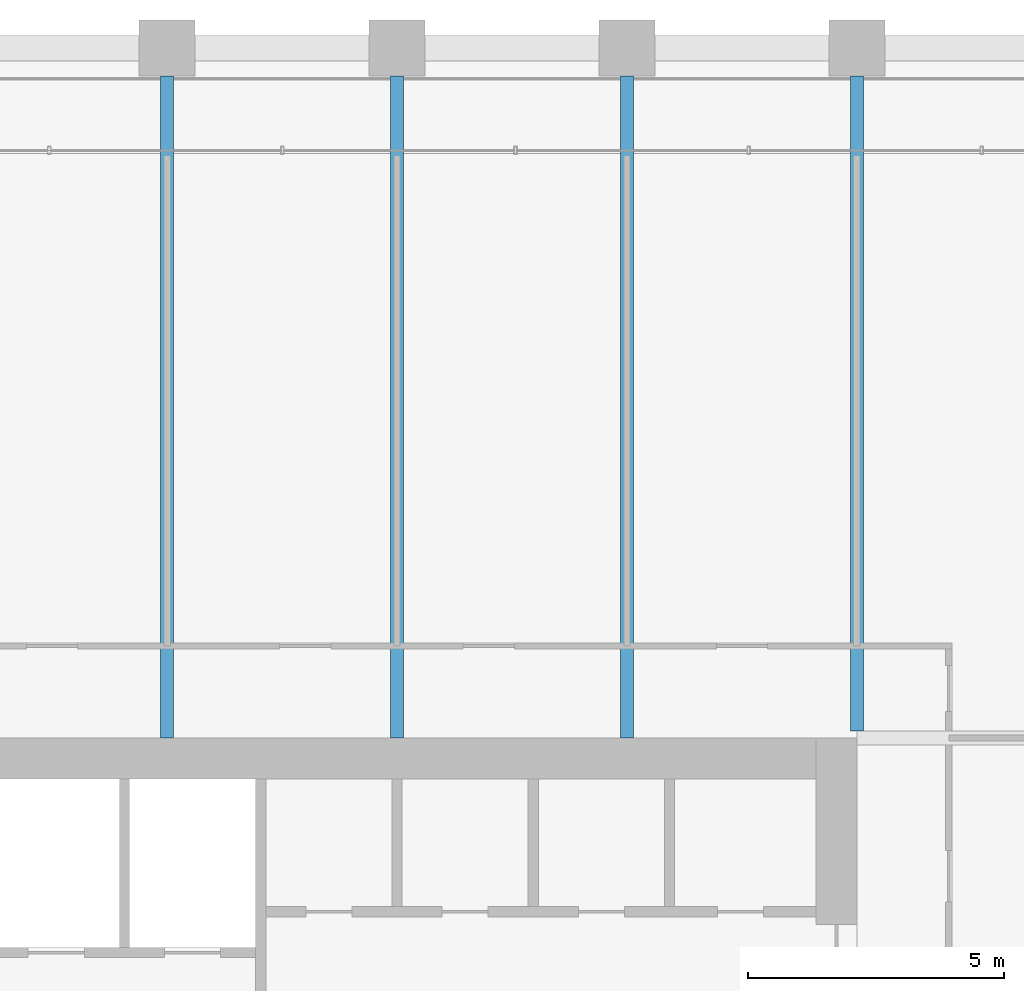
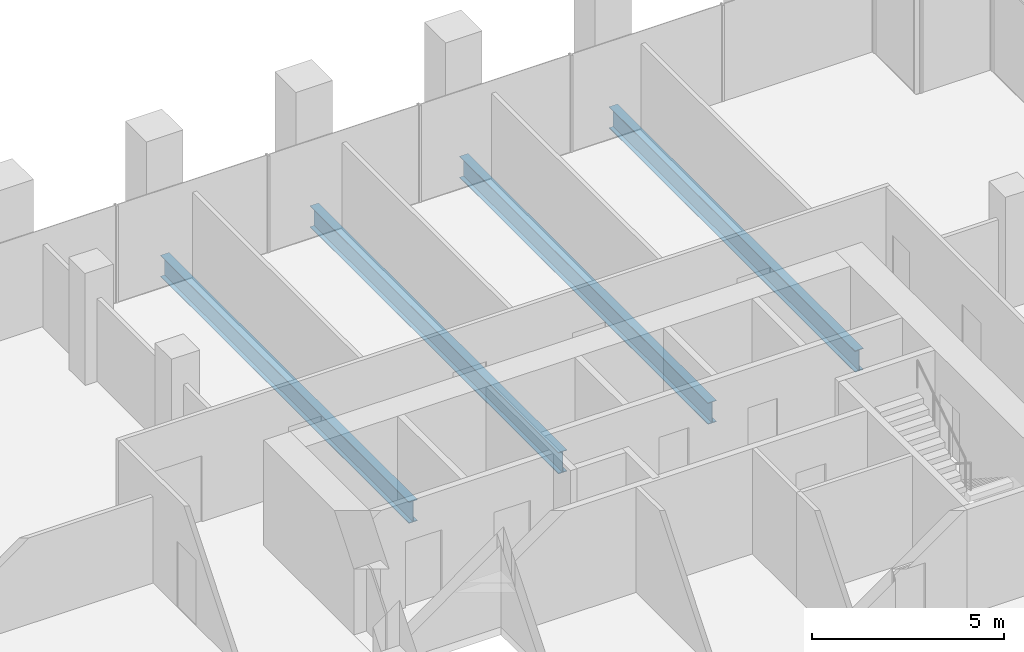
# One storey, part 28 of 56: 4 beams.
"""IFC4 building model written with IfcOpenShell, lengths in metres."""

import ifcopenshell
import ifcopenshell.guid

model = None  # the IFC model being written
_history = None  # IfcOwnerHistory: only IFC2X3 demands one
_inside = {}  # id of a spatial element -> (the spatial element, [elements in it])
_under = {}  # id of a project, library or spatial element -> (it, [spatial elements below it])
_declared = {}  # id of a project -> (the project, [libraries it declares])
_typed = {}  # id of a type object -> (the type object, [elements of that type])
_made_of = {}  # id of a material, layer set ... -> (it, [elements and type objects made of it])


def new_model(schema):
    """Start an empty IFC model of exactly this schema.

    Asked for "IFC4X3", IfcOpenShell would pick the latest addendum, in which some entities
    have other attributes; the version numbers below select the first issue.
    IFC2X3 requires an IfcOwnerHistory on every rooted entity: one is made here for all.
    """
    global model, _history
    if schema == "IFC4X3":
        model = ifcopenshell.file(schema_version=(4, 3, 0, 0))
    else:
        model = ifcopenshell.file(schema=schema)
    _inside.clear()
    _under.clear()
    _declared.clear()
    _typed.clear()
    _made_of.clear()
    _history = None
    if model.schema == "IFC2X3":
        org = make("IfcOrganization", Name="unknown")
        user = make(
            "IfcPersonAndOrganization",
            ThePerson=make("IfcPerson", FamilyName="unknown"),
            TheOrganization=org,
        )
        app = make(
            "IfcApplication",
            ApplicationDeveloper=org,
            Version="unknown",
            ApplicationFullName="unknown",
            ApplicationIdentifier="unknown",
        )
        _history = make(
            "IfcOwnerHistory",
            OwningUser=user,
            OwningApplication=app,
            ChangeAction="ADDED",
            CreationDate=0,
        )
    return model


def make(cls, **values):
    """One entity of the class cls with the attributes given. An attribute that is None is left unset."""
    return model.create_entity(
        cls, **{name: value for name, value in values.items() if value is not None}
    )


def rooted(cls, **values):
    """An entity with a GlobalId (a new one), such as an element, a storey or a relation."""
    return make(cls, GlobalId=ifcopenshell.guid.new(), OwnerHistory=_history, **values)


def si_unit(unit_type, name, prefix=None):
    """IfcSIUnit, for example si_unit("LENGTHUNIT", "METRE", prefix="MILLI")."""
    return make("IfcSIUnit", UnitType=unit_type, Prefix=prefix, Name=name)


def assignment(units):
    """IfcUnitAssignment: the units of a project."""
    return None if units is None else make("IfcUnitAssignment", Units=units)


def point(xyz):
    """IfcCartesianPoint."""
    return None if xyz is None else make("IfcCartesianPoint", Coordinates=xyz)


def direction(xyz):
    """IfcDirection."""
    return None if xyz is None else make("IfcDirection", DirectionRatios=xyz)


def frame(location, z_axis=None, x_axis=None):
    """IfcAxis2Placement3D, a coordinate frame: its origin and axes. An axis left out is left unset."""
    return make(
        "IfcAxis2Placement3D",
        Location=point(location),
        Axis=direction(z_axis),
        RefDirection=direction(x_axis),
    )


def frame_2d(location, x_axis=None):
    """IfcAxis2Placement2D, a coordinate frame in the plane: its origin and x axis."""
    return make(
        "IfcAxis2Placement2D", Location=point(location), RefDirection=direction(x_axis)
    )


def origin():
    """The frame at (0, 0, 0) with its axes left unset."""
    return frame((0.0, 0.0, 0.0))


def origin_2d():
    """The frame at (0, 0) in the plane with its x axis left unset."""
    return frame_2d((0.0, 0.0))


def place(relative_to, where):
    """IfcLocalPlacement: puts the frame where relative to a parent placement (None: the world)."""
    return make(
        "IfcLocalPlacement", PlacementRelTo=relative_to, RelativePlacement=where
    )


def context(
    kind, dimensions, precision=None, world=None, true_north=None, identifier=None
):
    """IfcGeometricRepresentationContext, for example the 3D "Model" context."""
    return make(
        "IfcGeometricRepresentationContext",
        ContextIdentifier=identifier,
        ContextType=kind,
        CoordinateSpaceDimension=dimensions,
        Precision=precision,
        WorldCoordinateSystem=world,
        TrueNorth=true_north,
    )


def subcontext(parent, identifier, kind, view, scale=None):
    """IfcGeometricRepresentationSubContext, for example "Body" below "Model"."""
    return make(
        "IfcGeometricRepresentationSubContext",
        ContextIdentifier=identifier,
        ContextType=kind,
        ParentContext=parent,
        TargetScale=scale,
        TargetView=view,
    )


def project(units=None, contexts=None):
    """IfcProject with its units and contexts."""
    return rooted(
        "IfcProject",
        Name="project",
        RepresentationContexts=contexts,
        UnitsInContext=assignment(units),
    )


def spatial(cls, under=None, at=None, **own):
    """A site, building, storey or space (cls), placed at a placement, below another one or the project."""
    s = rooted(cls, ObjectPlacement=at, **own)
    if under is not None:
        _under.setdefault(under.id(), (under, []))[1].append(s)
    return s


def profile(cls, at=None, kind="AREA", **sizes):
    """A parametric profile (cls). Its sizes go by their IFC names, for example OverallWidth=200.0."""
    return make(cls, ProfileType=kind, Position=at, **sizes)


def i_section(**sizes):
    """IfcIShapeProfileDef."""
    return profile("IfcIShapeProfileDef", **sizes)


def extrude(swept, where, along, depth):
    """IfcExtrudedAreaSolid: the profile swept, set in the frame where, extruded along a direction by depth."""
    return make(
        "IfcExtrudedAreaSolid",
        SweptArea=swept,
        Position=where,
        ExtrudedDirection=direction(along),
        Depth=depth,
    )


def shape(context_of_items, identifier, shape_type, items):
    """IfcShapeRepresentation: the items that make up one representation, for example the "Body"."""
    return make(
        "IfcShapeRepresentation",
        ContextOfItems=context_of_items,
        RepresentationIdentifier=identifier,
        RepresentationType=shape_type,
        Items=items,
    )


def material(Name=None, Category=None):
    """IfcMaterial."""
    return make("IfcMaterial", Name=Name, Category=Category)


def material_profile(
    of_material, cross_section, Name=None, Category=None, Priority=None
):
    """IfcMaterialProfile: a cross section and its material."""
    return make(
        "IfcMaterialProfile",
        Name=Name,
        Material=of_material,
        Profile=cross_section,
        Priority=Priority,
        Category=Category,
    )


def profile_set(profiles, Name=None, composite=None):
    """IfcMaterialProfileSet."""
    return make(
        "IfcMaterialProfileSet",
        Name=Name,
        MaterialProfiles=profiles,
        CompositeProfile=composite,
    )


def made_of(thing, what):
    """Note that an element or type object is made of a material, layer set ...; save() writes the relation."""
    if what is not None:
        _made_of.setdefault(what.id(), (what, []))[1].append(thing)
    return thing


def type_object(cls, material=None, **own):
    """A type object (cls), such as IfcWallType, which elements share."""
    return made_of(rooted(cls, **own), material)


def element(
    cls,
    number,
    at=None,
    inside=None,
    cuts=None,
    type_object=None,
    material=None,
    context=None,
    identifier="Body",
    shape_type=None,
    held_by="IfcProductDefinitionShape",
    body=None,
    shapes=None,
    **own,
):
    """One element of the class cls, such as IfcWall. Its Tag is "e" and its number.

    at: its placement. inside: the storey or other place that contains it. cuts: it is an
    opening in that element (IfcRelVoidsElement). A single representation is given by context,
    identifier, shape_type and body (its items); several are given by shapes. held_by: the class
    of the entity that holds the representations. save() writes the other relations.
    """
    e = rooted(cls, Tag="e%d" % number, ObjectPlacement=at, **own)
    if body is not None:
        shapes = [shape(context, identifier, shape_type, body)]
    if shapes is not None:
        e.Representation = make(held_by, Representations=shapes)
    if inside is not None:
        _inside.setdefault(inside.id(), (inside, []))[1].append(e)
    if cuts is not None:
        rooted(
            "IfcRelVoidsElement", RelatingBuildingElement=cuts, RelatedOpeningElement=e
        )
    if type_object is not None:
        _typed.setdefault(type_object.id(), (type_object, []))[1].append(e)
    return made_of(e, material)


def aggregate(whole, parts):
    """IfcRelAggregates: a whole, such as a stair, and the parts it consists of."""
    return rooted("IfcRelAggregates", RelatingObject=whole, RelatedObjects=parts)


def save(model, path):
    """Write the relations noted so far, then the file.

    IfcRelAggregates (storeys below a building ...), IfcRelContainedInSpatialStructure (elements
    in a storey), IfcRelDefinesByType, IfcRelAssociatesMaterial and IfcRelDeclares: one each for
    every whole, place, type object, material and project.
    """
    for whole, parts in _under.values():
        aggregate(whole, parts)
    for where, things in _inside.values():
        rooted(
            "IfcRelContainedInSpatialStructure",
            RelatedElements=things,
            RelatingStructure=where,
        )
    for kind, things in _typed.values():
        rooted("IfcRelDefinesByType", RelatedObjects=things, RelatingType=kind)
    for what, things in _made_of.values():
        rooted("IfcRelAssociatesMaterial", RelatedObjects=things, RelatingMaterial=what)
    for by, libraries in _declared.values():
        rooted("IfcRelDeclares", RelatingContext=by, RelatedDefinitions=libraries)
    model.write(path)


model = new_model("IFC4")

# Units and contexts
model_context = context("Model", 3, precision=1e-05, world=origin(), true_north=direction((0.0, 1.0)))
body_context = subcontext(model_context, "Body", "Model", "MODEL_VIEW")
ifc_project = project(units=[si_unit("LENGTHUNIT", "METRE"), si_unit("AREAUNIT", "SQUARE_METRE"), si_unit("VOLUMEUNIT", "CUBIC_METRE"), si_unit("PLANEANGLEUNIT", "RADIAN"), si_unit("MASSUNIT", "GRAM", prefix="KILO")], contexts=[model_context])

# Site, building, storey
site_placement = place(None, origin())
site = spatial("IfcSite", under=ifc_project, at=site_placement, CompositionType="ELEMENT")
building_placement = place(site_placement, origin())
building = spatial("IfcBuilding", under=site, at=building_placement, Name="Altepetl Exchange Towers", CompositionType="ELEMENT")
storey_placement = place(building_placement, frame((0.0, 0.0, 72.60009765625)))
storey = spatial("IfcBuildingStorey", under=building, at=storey_placement, Name="L17", CompositionType="ELEMENT", Elevation=72.60009765625)

# Beams
ifc_material = material(Name="Steel S355", Category="steel")
ifc_material_profile = material_profile(ifc_material, i_section(OverallWidth=0.25390625, OverallDepth=0.68408203125, WebThickness=0.012451171875, FlangeThickness=0.018798828125, at=origin_2d()), Name="W27X94")
ifc_profile_set = profile_set([ifc_material_profile], Name="Steel S355")
beam_type = type_object("IfcBeamType", Name="Floor beam W27X94", PredefinedType="BEAM", material=ifc_profile_set)
for number, where, z_axis, x_axis, name in (
    (1, (45.0, 58.5, -0.4921875), (0.0, 1.0, 0.0), (-1.0, 0.0, 0.0), "bm:A:L17:000"),
    (2, (49.5, 58.5, -0.4921875), (0.0, 1.0, 0.0), (-1.0, 0.0, 0.0), "bm:A:L17:001"),
    (3, (54.0, 58.5, -0.4921875), (0.0, 1.0, 0.0), (-1.0, 0.0, 0.0), "bm:A:L17:002"),
):
    element("IfcBeam", number, at=place(storey_placement, frame(where, z_axis=z_axis, x_axis=x_axis)), inside=storey, type_object=beam_type, Name=name, PredefinedType="BEAM", context=body_context, shape_type="SweptSolid", body=[
        extrude(i_section(OverallWidth=0.25390625, OverallDepth=0.68408203125, WebThickness=0.012451171875, FlangeThickness=0.018798828125, at=origin_2d()), origin(), (0.0, 0.0, 1.0), 12.949951171875),
    ])
beam_placement = place(storey_placement, frame((58.5, 58.634033203125, -0.4921875), z_axis=(0.0, 1.0, 0.0), x_axis=(-1.0, 0.0, 0.0)))
element("IfcBeam", 4, at=beam_placement, inside=storey, type_object=beam_type, Name="bm:A:L17:003", PredefinedType="BEAM", context=body_context, shape_type="SweptSolid", body=[
    extrude(i_section(OverallWidth=0.25390625, OverallDepth=0.68408203125, WebThickness=0.012451171875, FlangeThickness=0.018798828125, at=origin_2d()), origin(), (0.0, 0.0, 1.0), 12.81591796875),
])

save(model, "model.ifc")
